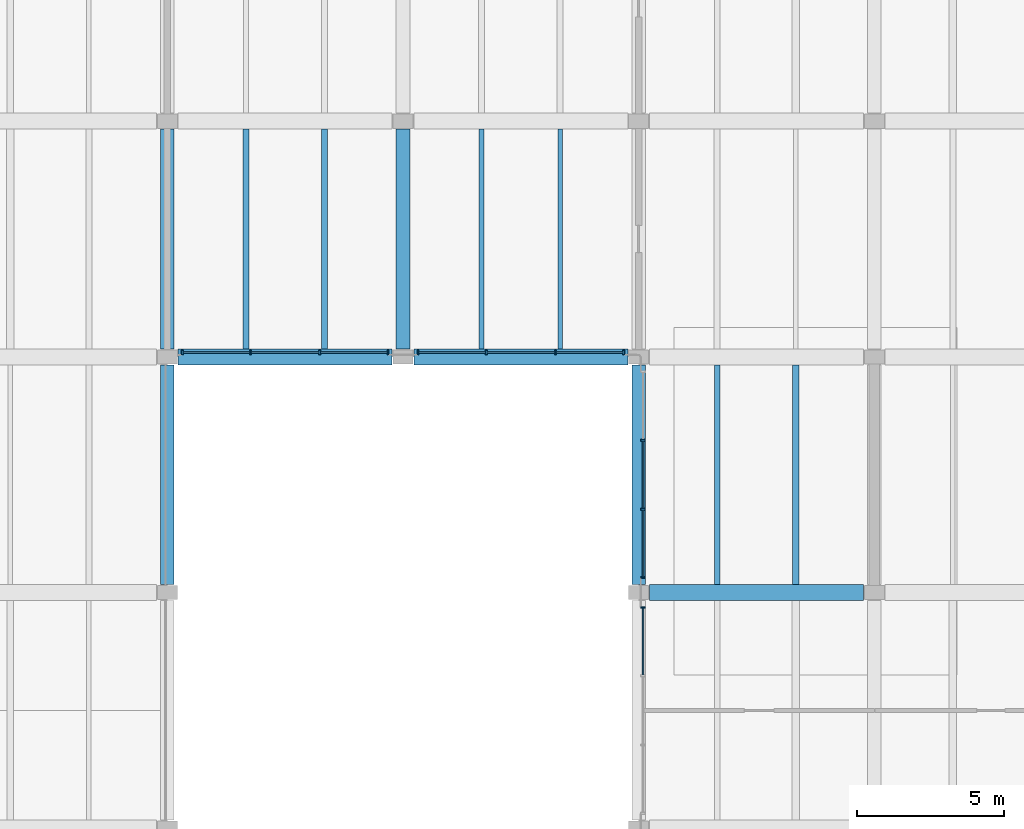
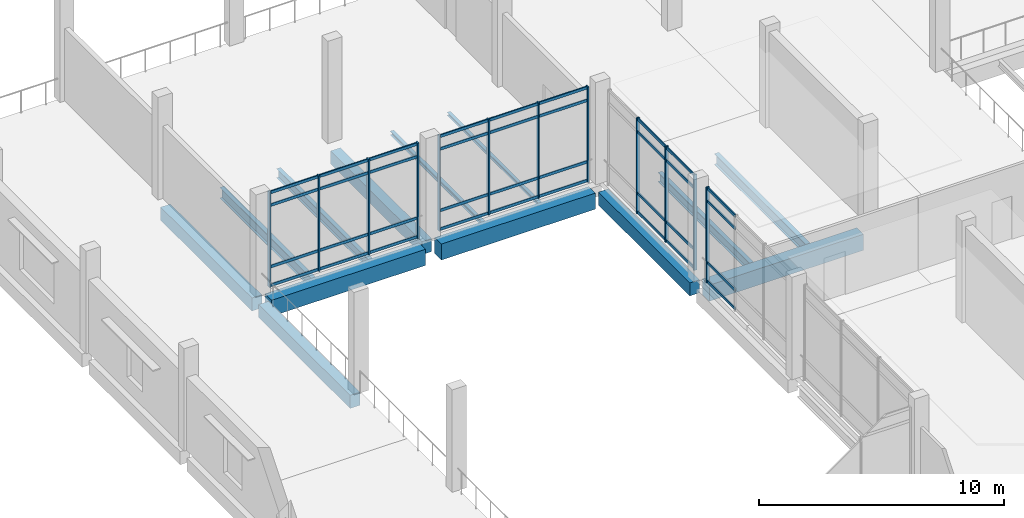
# One storey, part 10 of 61: 48 members, 13 beams, 4 elements without a shape of their own.
"""IFC4 building model written with IfcOpenShell, lengths in metres."""

from ifc_helpers import new_model, si_unit, direction, frame, origin, origin_2d, place, context, subcontext, project, spatial, rectangle, i_section, extrude, material, material_profile, profile_set, type_object, element, aggregate, save


model = new_model("IFC4")

# Units and contexts
model_context = context("Model", 3, precision=1e-05, world=origin(), true_north=direction((0.0, 1.0)))
body_context = subcontext(model_context, "Body", "Model", "MODEL_VIEW")
ifc_project = project(units=[si_unit("LENGTHUNIT", "METRE"), si_unit("AREAUNIT", "SQUARE_METRE"), si_unit("VOLUMEUNIT", "CUBIC_METRE"), si_unit("PLANEANGLEUNIT", "RADIAN"), si_unit("MASSUNIT", "GRAM", prefix="KILO")], contexts=[model_context])

# Site, building, storey
site_placement = place(None, origin())
site = spatial("IfcSite", under=ifc_project, at=site_placement, CompositionType="ELEMENT")
building_placement = place(site_placement, origin())
building = spatial("IfcBuilding", under=site, at=building_placement, Name="Pecanmere Concourse Central Library", CompositionType="ELEMENT")
storey_placement = place(building_placement, frame((0.0, 0.0, 5.39990234375)))
storey = spatial("IfcBuildingStorey", under=building, at=storey_placement, Name="L02", CompositionType="ELEMENT", Elevation=5.39990234375)

# Curtain wall, member
ifc_material_1 = material(Name="Clear anodized aluminium alloy 6063-T6", Category="aluminium")
curtain_wall_type = type_object("IfcCurtainWallType", Name="CW_CLOISTER_GLAZ", PredefinedType="USERDEFINED", material=ifc_material_1)
curtain_wall_1_placement = place(storey_placement, origin())
curtain_wall_1 = element("IfcCurtainWall", 1, at=curtain_wall_1_placement, inside=storey, type_object=curtain_wall_type, Name="Unitised Curtain Wall CW-04 L02-118", ObjectType="UNITISED CURTAIN WALL", PredefinedType="USERDEFINED")
ifc_material_2 = material(Name="Clear anodized aluminium alloy 6063-T6", Category="aluminium")
ifc_material_profile_1 = material_profile(ifc_material_2, rectangle(XDim=0.06005859375, YDim=0.14990234375, at=origin_2d()), Name="AL 60x150")
ifc_profile_set_1 = profile_set([ifc_material_profile_1], Name="Clear anodized aluminium alloy 6063-T6")
member_type_1 = type_object("IfcMemberType", Name="CWM_150x60", PredefinedType="MULLION", material=ifc_profile_set_1)
member_1_placement = place(storey_placement, frame((48.14990234375, 81.489990234375, 0.0), z_axis=(0.0, 0.0, 1.0), x_axis=(0.0, -1.0, 0.0)))
member_1 = element("IfcMember", 2, at=member_1_placement, type_object=member_type_1, Name="CW-04 Mullion 1", PredefinedType="MULLION", context=body_context, shape_type="SweptSolid", body=[
    extrude(rectangle(XDim=0.06005859375, YDim=0.14990234375, at=origin_2d()), origin(), (0.0, 0.0, 1.0), 4.760009765625),
])

# Curtain wall, members
curtain_wall_2_placement = place(storey_placement, origin())
curtain_wall_2 = element("IfcCurtainWall", 3, at=curtain_wall_2_placement, inside=storey, type_object=curtain_wall_type, Name="Unitised Curtain Wall CW-04 L02-120", ObjectType="UNITISED CURTAIN WALL", PredefinedType="USERDEFINED")
member_2_placement = place(storey_placement, frame((48.14990234375, 87.17333984375, 0.0), z_axis=(0.0, 0.0, 1.0), x_axis=(0.0, -1.0, 0.0)))
member_2 = element("IfcMember", 4, at=member_2_placement, type_object=member_type_1, Name="CW-04 Mullion 2", PredefinedType="MULLION", context=body_context, shape_type="SweptSolid", body=[
    extrude(rectangle(XDim=0.06005859375, YDim=0.14990234375, at=origin_2d()), origin(), (0.0, 0.0, 1.0), 4.760009765625),
])
member_3_placement = place(storey_placement, frame((48.14990234375, 84.82666015625, 0.0), z_axis=(0.0, 0.0, 1.0), x_axis=(0.0, -1.0, 0.0)))
member_3 = element("IfcMember", 5, at=member_3_placement, type_object=member_type_1, Name="CW-04 Mullion 3", PredefinedType="MULLION", context=body_context, shape_type="SweptSolid", body=[
    extrude(rectangle(XDim=0.06005859375, YDim=0.14990234375, at=origin_2d()), origin(), (0.0, 0.0, 1.0), 4.760009765625),
])
member_4_placement = place(storey_placement, frame((48.14990234375, 82.510009765625, 0.0), z_axis=(0.0, 0.0, 1.0), x_axis=(0.0, -1.0, 0.0)))
member_4 = element("IfcMember", 6, at=member_4_placement, type_object=member_type_1, Name="CW-04 Mullion 4", PredefinedType="MULLION", context=body_context, shape_type="SweptSolid", body=[
    extrude(rectangle(XDim=0.06005859375, YDim=0.14990234375, at=origin_2d()), origin(), (0.0, 0.0, 1.0), 4.760009765625),
])

curtain_wall_3_placement = place(storey_placement, origin())
curtain_wall_3 = element("IfcCurtainWall", 7, at=curtain_wall_3_placement, inside=storey, type_object=curtain_wall_type, Name="Unitised Curtain Wall CW-04 L02-126", ObjectType="UNITISED CURTAIN WALL", PredefinedType="USERDEFINED")
member_5_placement = place(storey_placement, frame((39.489990234375, 90.14990234375, 0.0), z_axis=(0.0, 0.0, 1.0), x_axis=(-1.0, 0.0, 0.0)))
member_5 = element("IfcMember", 8, at=member_5_placement, type_object=member_type_1, Name="CW-04 Mullion 1", PredefinedType="MULLION", context=body_context, shape_type="SweptSolid", body=[
    extrude(rectangle(XDim=0.06005859375, YDim=0.14990234375, at=origin_2d()), origin(), (0.0, 0.0, 1.0), 4.760009765625),
])
member_6_placement = place(storey_placement, frame((37.17333984375, 90.14990234375, 0.0), z_axis=(0.0, 0.0, 1.0), x_axis=(-1.0, 0.0, 0.0)))
member_6 = element("IfcMember", 9, at=member_6_placement, type_object=member_type_1, Name="CW-04 Mullion 2", PredefinedType="MULLION", context=body_context, shape_type="SweptSolid", body=[
    extrude(rectangle(XDim=0.06005859375, YDim=0.14990234375, at=origin_2d()), origin(), (0.0, 0.0, 1.0), 4.760009765625),
])
member_7_placement = place(storey_placement, frame((34.82666015625, 90.14990234375, 0.0), z_axis=(0.0, 0.0, 1.0), x_axis=(-1.0, 0.0, 0.0)))
member_7 = element("IfcMember", 10, at=member_7_placement, type_object=member_type_1, Name="CW-04 Mullion 3", PredefinedType="MULLION", context=body_context, shape_type="SweptSolid", body=[
    extrude(rectangle(XDim=0.06005859375, YDim=0.14990234375, at=origin_2d()), origin(), (0.0, 0.0, 1.0), 4.760009765625),
])
member_8_placement = place(storey_placement, frame((32.510009765625, 90.14990234375, 0.0), z_axis=(0.0, 0.0, 1.0), x_axis=(-1.0, 0.0, 0.0)))
member_8 = element("IfcMember", 11, at=member_8_placement, type_object=member_type_1, Name="CW-04 Mullion 4", PredefinedType="MULLION", context=body_context, shape_type="SweptSolid", body=[
    extrude(rectangle(XDim=0.06005859375, YDim=0.14990234375, at=origin_2d()), origin(), (0.0, 0.0, 1.0), 4.760009765625),
])

curtain_wall_4_placement = place(storey_placement, origin())
curtain_wall_4 = element("IfcCurtainWall", 12, at=curtain_wall_4_placement, inside=storey, type_object=curtain_wall_type, Name="Unitised Curtain Wall CW-04 L02-128", ObjectType="UNITISED CURTAIN WALL", PredefinedType="USERDEFINED")
member_9_placement = place(storey_placement, frame((47.489990234375, 90.14990234375, 0.0), z_axis=(0.0, 0.0, 1.0), x_axis=(-1.0, 0.0, 0.0)))
member_9 = element("IfcMember", 13, at=member_9_placement, type_object=member_type_1, Name="CW-04 Mullion 1", PredefinedType="MULLION", context=body_context, shape_type="SweptSolid", body=[
    extrude(rectangle(XDim=0.06005859375, YDim=0.14990234375, at=origin_2d()), origin(), (0.0, 0.0, 1.0), 4.760009765625),
])
member_10_placement = place(storey_placement, frame((45.17333984375, 90.14990234375, 0.0), z_axis=(0.0, 0.0, 1.0), x_axis=(-1.0, 0.0, 0.0)))
member_10 = element("IfcMember", 14, at=member_10_placement, type_object=member_type_1, Name="CW-04 Mullion 2", PredefinedType="MULLION", context=body_context, shape_type="SweptSolid", body=[
    extrude(rectangle(XDim=0.06005859375, YDim=0.14990234375, at=origin_2d()), origin(), (0.0, 0.0, 1.0), 4.760009765625),
])
member_11_placement = place(storey_placement, frame((42.82666015625, 90.14990234375, 0.0), z_axis=(0.0, 0.0, 1.0), x_axis=(-1.0, 0.0, 0.0)))
member_11 = element("IfcMember", 15, at=member_11_placement, type_object=member_type_1, Name="CW-04 Mullion 3", PredefinedType="MULLION", context=body_context, shape_type="SweptSolid", body=[
    extrude(rectangle(XDim=0.06005859375, YDim=0.14990234375, at=origin_2d()), origin(), (0.0, 0.0, 1.0), 4.760009765625),
])
member_12_placement = place(storey_placement, frame((40.510009765625, 90.14990234375, 0.0), z_axis=(0.0, 0.0, 1.0), x_axis=(-1.0, 0.0, 0.0)))
member_12 = element("IfcMember", 16, at=member_12_placement, type_object=member_type_1, Name="CW-04 Mullion 4", PredefinedType="MULLION", context=body_context, shape_type="SweptSolid", body=[
    extrude(rectangle(XDim=0.06005859375, YDim=0.14990234375, at=origin_2d()), origin(), (0.0, 0.0, 1.0), 4.760009765625),
])

# Member
ifc_material_3 = material(Name="Clear anodized aluminium alloy 6063-T6", Category="aluminium")
ifc_material_profile_2 = material_profile(ifc_material_3, rectangle(XDim=0.054931640625, YDim=0.139892578125, at=origin_2d()), Name="AL 55x140")
ifc_profile_set_2 = profile_set([ifc_material_profile_2], Name="Clear anodized aluminium alloy 6063-T6")
member_type_2 = type_object("IfcMemberType", Name="CWT_140x55", PredefinedType="USERDEFINED", material=ifc_profile_set_2)
member_13_placement = place(storey_placement, frame((48.14990234375, 81.4599609375, 0.070068359375), z_axis=(0.0, -1.0, 0.0), x_axis=(1.0, 0.0, 0.0)))
member_13 = element("IfcMember", 17, at=member_13_placement, type_object=member_type_2, Name="CW-04 Transom 1.1", ObjectType="TRANSOM", PredefinedType="USERDEFINED", context=body_context, shape_type="SweptSolid", body=[
    extrude(rectangle(XDim=0.054931640625, YDim=0.139892578125, at=origin_2d()), origin(), (0.0, 0.0, 1.0), 2.256591796875),
])

member_14_placement = place(storey_placement, frame((48.14990234375, 81.4599609375, 1.0), z_axis=(0.0, -1.0, 0.0), x_axis=(1.0, 0.0, 0.0)))
member_14 = element("IfcMember", 18, at=member_14_placement, type_object=member_type_2, Name="CW-04 Transom 1.2", ObjectType="TRANSOM", PredefinedType="USERDEFINED", context=body_context, shape_type="SweptSolid", body=[
    extrude(rectangle(XDim=0.054931640625, YDim=0.139892578125, at=origin_2d()), origin(), (0.0, 0.0, 1.0), 2.256591796875),
])

member_15_placement = place(storey_placement, frame((48.14990234375, 81.4599609375, 4.06005859375), z_axis=(0.0, -1.0, 0.0), x_axis=(1.0, 0.0, 0.0)))
member_15 = element("IfcMember", 19, at=member_15_placement, type_object=member_type_2, Name="CW-04 Transom 1.3", ObjectType="TRANSOM", PredefinedType="USERDEFINED", context=body_context, shape_type="SweptSolid", body=[
    extrude(rectangle(XDim=0.054931640625, YDim=0.139892578125, at=origin_2d()), origin(), (0.0, 0.0, 1.0), 2.256591796875),
])

member_16_placement = place(storey_placement, frame((48.14990234375, 81.4599609375, 4.690185546875), z_axis=(0.0, -1.0, 0.0), x_axis=(1.0, 0.0, 0.0)))
member_16 = element("IfcMember", 20, at=member_16_placement, type_object=member_type_2, Name="CW-04 Transom 1.4", ObjectType="TRANSOM", PredefinedType="USERDEFINED", context=body_context, shape_type="SweptSolid", body=[
    extrude(rectangle(XDim=0.054931640625, YDim=0.139892578125, at=origin_2d()), origin(), (0.0, 0.0, 1.0), 2.256591796875),
])

aggregate(curtain_wall_1, [member_1, member_13, member_14, member_15, member_16])

member_17_placement = place(storey_placement, frame((48.14990234375, 87.143310546875, 0.070068359375), z_axis=(0.0, -1.0, 0.0), x_axis=(1.0, 0.0, 0.0)))
member_17 = element("IfcMember", 21, at=member_17_placement, type_object=member_type_2, Name="CW-04 Transom 2.1", ObjectType="TRANSOM", PredefinedType="USERDEFINED", context=body_context, shape_type="SweptSolid", body=[
    extrude(rectangle(XDim=0.054931640625, YDim=0.139892578125, at=origin_2d()), origin(), (0.0, 0.0, 1.0), 2.28662109375),
])

member_18_placement = place(storey_placement, frame((48.14990234375, 87.143310546875, 1.0), z_axis=(0.0, -1.0, 0.0), x_axis=(1.0, 0.0, 0.0)))
member_18 = element("IfcMember", 22, at=member_18_placement, type_object=member_type_2, Name="CW-04 Transom 2.2", ObjectType="TRANSOM", PredefinedType="USERDEFINED", context=body_context, shape_type="SweptSolid", body=[
    extrude(rectangle(XDim=0.054931640625, YDim=0.139892578125, at=origin_2d()), origin(), (0.0, 0.0, 1.0), 2.28662109375),
])

member_19_placement = place(storey_placement, frame((48.14990234375, 87.143310546875, 4.06005859375), z_axis=(0.0, -1.0, 0.0), x_axis=(1.0, 0.0, 0.0)))
member_19 = element("IfcMember", 23, at=member_19_placement, type_object=member_type_2, Name="CW-04 Transom 2.3", ObjectType="TRANSOM", PredefinedType="USERDEFINED", context=body_context, shape_type="SweptSolid", body=[
    extrude(rectangle(XDim=0.054931640625, YDim=0.139892578125, at=origin_2d()), origin(), (0.0, 0.0, 1.0), 2.28662109375),
])

member_20_placement = place(storey_placement, frame((48.14990234375, 87.143310546875, 4.690185546875), z_axis=(0.0, -1.0, 0.0), x_axis=(1.0, 0.0, 0.0)))
member_20 = element("IfcMember", 24, at=member_20_placement, type_object=member_type_2, Name="CW-04 Transom 2.4", ObjectType="TRANSOM", PredefinedType="USERDEFINED", context=body_context, shape_type="SweptSolid", body=[
    extrude(rectangle(XDim=0.054931640625, YDim=0.139892578125, at=origin_2d()), origin(), (0.0, 0.0, 1.0), 2.28662109375),
])

member_21_placement = place(storey_placement, frame((48.14990234375, 84.796630859375, 0.070068359375), z_axis=(0.0, -1.0, 0.0), x_axis=(1.0, 0.0, 0.0)))
member_21 = element("IfcMember", 25, at=member_21_placement, type_object=member_type_2, Name="CW-04 Transom 3.1", ObjectType="TRANSOM", PredefinedType="USERDEFINED", context=body_context, shape_type="SweptSolid", body=[
    extrude(rectangle(XDim=0.054931640625, YDim=0.139892578125, at=origin_2d()), origin(), (0.0, 0.0, 1.0), 2.256591796875),
])

member_22_placement = place(storey_placement, frame((48.14990234375, 84.796630859375, 1.0), z_axis=(0.0, -1.0, 0.0), x_axis=(1.0, 0.0, 0.0)))
member_22 = element("IfcMember", 26, at=member_22_placement, type_object=member_type_2, Name="CW-04 Transom 3.2", ObjectType="TRANSOM", PredefinedType="USERDEFINED", context=body_context, shape_type="SweptSolid", body=[
    extrude(rectangle(XDim=0.054931640625, YDim=0.139892578125, at=origin_2d()), origin(), (0.0, 0.0, 1.0), 2.256591796875),
])

member_23_placement = place(storey_placement, frame((48.14990234375, 84.796630859375, 4.06005859375), z_axis=(0.0, -1.0, 0.0), x_axis=(1.0, 0.0, 0.0)))
member_23 = element("IfcMember", 27, at=member_23_placement, type_object=member_type_2, Name="CW-04 Transom 3.3", ObjectType="TRANSOM", PredefinedType="USERDEFINED", context=body_context, shape_type="SweptSolid", body=[
    extrude(rectangle(XDim=0.054931640625, YDim=0.139892578125, at=origin_2d()), origin(), (0.0, 0.0, 1.0), 2.256591796875),
])

member_24_placement = place(storey_placement, frame((48.14990234375, 84.796630859375, 4.690185546875), z_axis=(0.0, -1.0, 0.0), x_axis=(1.0, 0.0, 0.0)))
member_24 = element("IfcMember", 28, at=member_24_placement, type_object=member_type_2, Name="CW-04 Transom 3.4", ObjectType="TRANSOM", PredefinedType="USERDEFINED", context=body_context, shape_type="SweptSolid", body=[
    extrude(rectangle(XDim=0.054931640625, YDim=0.139892578125, at=origin_2d()), origin(), (0.0, 0.0, 1.0), 2.256591796875),
])

aggregate(curtain_wall_2, [member_2, member_3, member_4, member_17, member_18, member_19, member_20, member_21, member_22, member_23, member_24])

member_25_placement = place(storey_placement, frame((39.4599609375, 90.14990234375, 0.070068359375), z_axis=(-1.0, 0.0, 0.0), x_axis=(0.0, -1.0, 0.0)))
member_25 = element("IfcMember", 29, at=member_25_placement, type_object=member_type_2, Name="CW-04 Transom 1.1", ObjectType="TRANSOM", PredefinedType="USERDEFINED", context=body_context, shape_type="SweptSolid", body=[
    extrude(rectangle(XDim=0.054931640625, YDim=0.139892578125, at=origin_2d()), origin(), (0.0, 0.0, 1.0), 2.256591796875),
])

member_26_placement = place(storey_placement, frame((39.4599609375, 90.14990234375, 1.0), z_axis=(-1.0, 0.0, 0.0), x_axis=(0.0, -1.0, 0.0)))
member_26 = element("IfcMember", 30, at=member_26_placement, type_object=member_type_2, Name="CW-04 Transom 1.2", ObjectType="TRANSOM", PredefinedType="USERDEFINED", context=body_context, shape_type="SweptSolid", body=[
    extrude(rectangle(XDim=0.054931640625, YDim=0.139892578125, at=origin_2d()), origin(), (0.0, 0.0, 1.0), 2.256591796875),
])

member_27_placement = place(storey_placement, frame((39.4599609375, 90.14990234375, 4.06005859375), z_axis=(-1.0, 0.0, 0.0), x_axis=(0.0, -1.0, 0.0)))
member_27 = element("IfcMember", 31, at=member_27_placement, type_object=member_type_2, Name="CW-04 Transom 1.3", ObjectType="TRANSOM", PredefinedType="USERDEFINED", context=body_context, shape_type="SweptSolid", body=[
    extrude(rectangle(XDim=0.054931640625, YDim=0.139892578125, at=origin_2d()), origin(), (0.0, 0.0, 1.0), 2.256591796875),
])

member_28_placement = place(storey_placement, frame((39.4599609375, 90.14990234375, 4.690185546875), z_axis=(-1.0, 0.0, 0.0), x_axis=(0.0, -1.0, 0.0)))
member_28 = element("IfcMember", 32, at=member_28_placement, type_object=member_type_2, Name="CW-04 Transom 1.4", ObjectType="TRANSOM", PredefinedType="USERDEFINED", context=body_context, shape_type="SweptSolid", body=[
    extrude(rectangle(XDim=0.054931640625, YDim=0.139892578125, at=origin_2d()), origin(), (0.0, 0.0, 1.0), 2.256591796875),
])

member_29_placement = place(storey_placement, frame((37.143310546875, 90.14990234375, 0.070068359375), z_axis=(-1.0, 0.0, 0.0), x_axis=(0.0, -1.0, 0.0)))
member_29 = element("IfcMember", 33, at=member_29_placement, type_object=member_type_2, Name="CW-04 Transom 2.1", ObjectType="TRANSOM", PredefinedType="USERDEFINED", context=body_context, shape_type="SweptSolid", body=[
    extrude(rectangle(XDim=0.054931640625, YDim=0.139892578125, at=origin_2d()), origin(), (0.0, 0.0, 1.0), 2.28662109375),
])

member_30_placement = place(storey_placement, frame((37.143310546875, 90.14990234375, 1.0), z_axis=(-1.0, 0.0, 0.0), x_axis=(0.0, -1.0, 0.0)))
member_30 = element("IfcMember", 34, at=member_30_placement, type_object=member_type_2, Name="CW-04 Transom 2.2", ObjectType="TRANSOM", PredefinedType="USERDEFINED", context=body_context, shape_type="SweptSolid", body=[
    extrude(rectangle(XDim=0.054931640625, YDim=0.139892578125, at=origin_2d()), origin(), (0.0, 0.0, 1.0), 2.28662109375),
])

member_31_placement = place(storey_placement, frame((37.143310546875, 90.14990234375, 4.06005859375), z_axis=(-1.0, 0.0, 0.0), x_axis=(0.0, -1.0, 0.0)))
member_31 = element("IfcMember", 35, at=member_31_placement, type_object=member_type_2, Name="CW-04 Transom 2.3", ObjectType="TRANSOM", PredefinedType="USERDEFINED", context=body_context, shape_type="SweptSolid", body=[
    extrude(rectangle(XDim=0.054931640625, YDim=0.139892578125, at=origin_2d()), origin(), (0.0, 0.0, 1.0), 2.28662109375),
])

member_32_placement = place(storey_placement, frame((37.143310546875, 90.14990234375, 4.690185546875), z_axis=(-1.0, 0.0, 0.0), x_axis=(0.0, -1.0, 0.0)))
member_32 = element("IfcMember", 36, at=member_32_placement, type_object=member_type_2, Name="CW-04 Transom 2.4", ObjectType="TRANSOM", PredefinedType="USERDEFINED", context=body_context, shape_type="SweptSolid", body=[
    extrude(rectangle(XDim=0.054931640625, YDim=0.139892578125, at=origin_2d()), origin(), (0.0, 0.0, 1.0), 2.28662109375),
])

member_33_placement = place(storey_placement, frame((34.796630859375, 90.14990234375, 0.070068359375), z_axis=(-1.0, 0.0, 0.0), x_axis=(0.0, -1.0, 0.0)))
member_33 = element("IfcMember", 37, at=member_33_placement, type_object=member_type_2, Name="CW-04 Transom 3.1", ObjectType="TRANSOM", PredefinedType="USERDEFINED", context=body_context, shape_type="SweptSolid", body=[
    extrude(rectangle(XDim=0.054931640625, YDim=0.139892578125, at=origin_2d()), origin(), (0.0, 0.0, 1.0), 2.256591796875),
])

member_34_placement = place(storey_placement, frame((34.796630859375, 90.14990234375, 1.0), z_axis=(-1.0, 0.0, 0.0), x_axis=(0.0, -1.0, 0.0)))
member_34 = element("IfcMember", 38, at=member_34_placement, type_object=member_type_2, Name="CW-04 Transom 3.2", ObjectType="TRANSOM", PredefinedType="USERDEFINED", context=body_context, shape_type="SweptSolid", body=[
    extrude(rectangle(XDim=0.054931640625, YDim=0.139892578125, at=origin_2d()), origin(), (0.0, 0.0, 1.0), 2.256591796875),
])

member_35_placement = place(storey_placement, frame((34.796630859375, 90.14990234375, 4.06005859375), z_axis=(-1.0, 0.0, 0.0), x_axis=(0.0, -1.0, 0.0)))
member_35 = element("IfcMember", 39, at=member_35_placement, type_object=member_type_2, Name="CW-04 Transom 3.3", ObjectType="TRANSOM", PredefinedType="USERDEFINED", context=body_context, shape_type="SweptSolid", body=[
    extrude(rectangle(XDim=0.054931640625, YDim=0.139892578125, at=origin_2d()), origin(), (0.0, 0.0, 1.0), 2.256591796875),
])

member_36_placement = place(storey_placement, frame((34.796630859375, 90.14990234375, 4.690185546875), z_axis=(-1.0, 0.0, 0.0), x_axis=(0.0, -1.0, 0.0)))
member_36 = element("IfcMember", 40, at=member_36_placement, type_object=member_type_2, Name="CW-04 Transom 3.4", ObjectType="TRANSOM", PredefinedType="USERDEFINED", context=body_context, shape_type="SweptSolid", body=[
    extrude(rectangle(XDim=0.054931640625, YDim=0.139892578125, at=origin_2d()), origin(), (0.0, 0.0, 1.0), 2.256591796875),
])

aggregate(curtain_wall_3, [member_5, member_6, member_7, member_8, member_25, member_26, member_27, member_28, member_29, member_30, member_31, member_32, member_33, member_34, member_35, member_36])

member_37_placement = place(storey_placement, frame((47.4599609375, 90.14990234375, 0.070068359375), z_axis=(-1.0, 0.0, 0.0), x_axis=(0.0, -1.0, 0.0)))
member_37 = element("IfcMember", 41, at=member_37_placement, type_object=member_type_2, Name="CW-04 Transom 1.1", ObjectType="TRANSOM", PredefinedType="USERDEFINED", context=body_context, shape_type="SweptSolid", body=[
    extrude(rectangle(XDim=0.054931640625, YDim=0.139892578125, at=origin_2d()), origin(), (0.0, 0.0, 1.0), 2.256591796875),
])

member_38_placement = place(storey_placement, frame((47.4599609375, 90.14990234375, 1.0), z_axis=(-1.0, 0.0, 0.0), x_axis=(0.0, -1.0, 0.0)))
member_38 = element("IfcMember", 42, at=member_38_placement, type_object=member_type_2, Name="CW-04 Transom 1.2", ObjectType="TRANSOM", PredefinedType="USERDEFINED", context=body_context, shape_type="SweptSolid", body=[
    extrude(rectangle(XDim=0.054931640625, YDim=0.139892578125, at=origin_2d()), origin(), (0.0, 0.0, 1.0), 2.256591796875),
])

member_39_placement = place(storey_placement, frame((47.4599609375, 90.14990234375, 4.06005859375), z_axis=(-1.0, 0.0, 0.0), x_axis=(0.0, -1.0, 0.0)))
member_39 = element("IfcMember", 43, at=member_39_placement, type_object=member_type_2, Name="CW-04 Transom 1.3", ObjectType="TRANSOM", PredefinedType="USERDEFINED", context=body_context, shape_type="SweptSolid", body=[
    extrude(rectangle(XDim=0.054931640625, YDim=0.139892578125, at=origin_2d()), origin(), (0.0, 0.0, 1.0), 2.256591796875),
])

member_40_placement = place(storey_placement, frame((47.4599609375, 90.14990234375, 4.690185546875), z_axis=(-1.0, 0.0, 0.0), x_axis=(0.0, -1.0, 0.0)))
member_40 = element("IfcMember", 44, at=member_40_placement, type_object=member_type_2, Name="CW-04 Transom 1.4", ObjectType="TRANSOM", PredefinedType="USERDEFINED", context=body_context, shape_type="SweptSolid", body=[
    extrude(rectangle(XDim=0.054931640625, YDim=0.139892578125, at=origin_2d()), origin(), (0.0, 0.0, 1.0), 2.256591796875),
])

member_41_placement = place(storey_placement, frame((45.143310546875, 90.14990234375, 0.070068359375), z_axis=(-1.0, 0.0, 0.0), x_axis=(0.0, -1.0, 0.0)))
member_41 = element("IfcMember", 45, at=member_41_placement, type_object=member_type_2, Name="CW-04 Transom 2.1", ObjectType="TRANSOM", PredefinedType="USERDEFINED", context=body_context, shape_type="SweptSolid", body=[
    extrude(rectangle(XDim=0.054931640625, YDim=0.139892578125, at=origin_2d()), origin(), (0.0, 0.0, 1.0), 2.28662109375),
])

member_42_placement = place(storey_placement, frame((45.143310546875, 90.14990234375, 1.0), z_axis=(-1.0, 0.0, 0.0), x_axis=(0.0, -1.0, 0.0)))
member_42 = element("IfcMember", 46, at=member_42_placement, type_object=member_type_2, Name="CW-04 Transom 2.2", ObjectType="TRANSOM", PredefinedType="USERDEFINED", context=body_context, shape_type="SweptSolid", body=[
    extrude(rectangle(XDim=0.054931640625, YDim=0.139892578125, at=origin_2d()), origin(), (0.0, 0.0, 1.0), 2.28662109375),
])

member_43_placement = place(storey_placement, frame((45.143310546875, 90.14990234375, 4.06005859375), z_axis=(-1.0, 0.0, 0.0), x_axis=(0.0, -1.0, 0.0)))
member_43 = element("IfcMember", 47, at=member_43_placement, type_object=member_type_2, Name="CW-04 Transom 2.3", ObjectType="TRANSOM", PredefinedType="USERDEFINED", context=body_context, shape_type="SweptSolid", body=[
    extrude(rectangle(XDim=0.054931640625, YDim=0.139892578125, at=origin_2d()), origin(), (0.0, 0.0, 1.0), 2.28662109375),
])

member_44_placement = place(storey_placement, frame((45.143310546875, 90.14990234375, 4.690185546875), z_axis=(-1.0, 0.0, 0.0), x_axis=(0.0, -1.0, 0.0)))
member_44 = element("IfcMember", 48, at=member_44_placement, type_object=member_type_2, Name="CW-04 Transom 2.4", ObjectType="TRANSOM", PredefinedType="USERDEFINED", context=body_context, shape_type="SweptSolid", body=[
    extrude(rectangle(XDim=0.054931640625, YDim=0.139892578125, at=origin_2d()), origin(), (0.0, 0.0, 1.0), 2.28662109375),
])

member_45_placement = place(storey_placement, frame((42.796630859375, 90.14990234375, 0.070068359375), z_axis=(-1.0, 0.0, 0.0), x_axis=(0.0, -1.0, 0.0)))
member_45 = element("IfcMember", 49, at=member_45_placement, type_object=member_type_2, Name="CW-04 Transom 3.1", ObjectType="TRANSOM", PredefinedType="USERDEFINED", context=body_context, shape_type="SweptSolid", body=[
    extrude(rectangle(XDim=0.054931640625, YDim=0.139892578125, at=origin_2d()), origin(), (0.0, 0.0, 1.0), 2.256591796875),
])

member_46_placement = place(storey_placement, frame((42.796630859375, 90.14990234375, 1.0), z_axis=(-1.0, 0.0, 0.0), x_axis=(0.0, -1.0, 0.0)))
member_46 = element("IfcMember", 50, at=member_46_placement, type_object=member_type_2, Name="CW-04 Transom 3.2", ObjectType="TRANSOM", PredefinedType="USERDEFINED", context=body_context, shape_type="SweptSolid", body=[
    extrude(rectangle(XDim=0.054931640625, YDim=0.139892578125, at=origin_2d()), origin(), (0.0, 0.0, 1.0), 2.256591796875),
])

member_47_placement = place(storey_placement, frame((42.796630859375, 90.14990234375, 4.06005859375), z_axis=(-1.0, 0.0, 0.0), x_axis=(0.0, -1.0, 0.0)))
member_47 = element("IfcMember", 51, at=member_47_placement, type_object=member_type_2, Name="CW-04 Transom 3.3", ObjectType="TRANSOM", PredefinedType="USERDEFINED", context=body_context, shape_type="SweptSolid", body=[
    extrude(rectangle(XDim=0.054931640625, YDim=0.139892578125, at=origin_2d()), origin(), (0.0, 0.0, 1.0), 2.256591796875),
])

member_48_placement = place(storey_placement, frame((42.796630859375, 90.14990234375, 4.690185546875), z_axis=(-1.0, 0.0, 0.0), x_axis=(0.0, -1.0, 0.0)))
member_48 = element("IfcMember", 52, at=member_48_placement, type_object=member_type_2, Name="CW-04 Transom 3.4", ObjectType="TRANSOM", PredefinedType="USERDEFINED", context=body_context, shape_type="SweptSolid", body=[
    extrude(rectangle(XDim=0.054931640625, YDim=0.139892578125, at=origin_2d()), origin(), (0.0, 0.0, 1.0), 2.256591796875),
])

aggregate(curtain_wall_4, [member_9, member_10, member_11, member_12, member_37, member_38, member_39, member_40, member_41, member_42, member_43, member_44, member_45, member_46, member_47, member_48])

# Beams
ifc_material_4 = material(Name="Concrete C40/50", Category="concrete")
ifc_material_profile_3 = material_profile(ifc_material_4, rectangle(XDim=0.4599609375, YDim=0.64990234375, at=origin_2d()), Name="RC 460x650")
ifc_profile_set_3 = profile_set([ifc_material_profile_3], Name="Concrete C40/50")
beam_type_1 = type_object("IfcBeamType", Name="GRD_460x650", PredefinedType="USERDEFINED", material=ifc_profile_set_3)
for number, where, z_axis, x_axis, name in (
    (53, (32.0, 82.27001953125, -0.69482421875), (0.0, 1.0, 0.0), (-1.0, 0.0, 0.0), "Primary Girder Y L02-0989"),
    (54, (32.0, 90.27001953125, -0.69482421875), (0.0, 1.0, 0.0), (-1.0, 0.0, 0.0), "Primary Girder Y L02-0990"),
    (55, (40.0, 90.27001953125, -0.69482421875), (0.0, 1.0, 0.0), (-1.0, 0.0, 0.0), "Primary Girder Y L02-0998"),
    (56, (48.0, 82.27001953125, -0.69482421875), (0.0, 1.0, 0.0), (-1.0, 0.0, 0.0), "Primary Girder Y L02-1008"),
):
    element("IfcBeam", number, at=place(storey_placement, frame(where, z_axis=z_axis, x_axis=x_axis)), inside=storey, type_object=beam_type_1, Name=name, ObjectType="GIRDER", PredefinedType="USERDEFINED", context=body_context, shape_type="SweptSolid", body=[
        extrude(rectangle(XDim=0.4599609375, YDim=0.64990234375, at=origin_2d()), origin(), (0.0, 0.0, 1.0), 7.4599609375),
    ])
ifc_material_5 = material(Name="Concrete C40/50", Category="concrete")
ifc_material_profile_4 = material_profile(ifc_material_5, rectangle(XDim=0.5400390625, YDim=0.800048828125, at=origin_2d()), Name="RC 540x800")
ifc_profile_set_4 = profile_set([ifc_material_profile_4], Name="Concrete C40/50")
beam_type_2 = type_object("IfcBeamType", Name="GRD_540x800", PredefinedType="USERDEFINED", material=ifc_profile_set_4)
for number, where, z_axis, x_axis, name in (
    (57, (48.3701171875, 82.0, -0.77001953125), (1.0, 0.0, 0.0), (0.0, 1.0, 0.0), "Primary Girder X L02-0898"),
    (58, (32.3701171875, 90.0, -0.77001953125), (1.0, 0.0, 0.0), (0.0, 1.0, 0.0), "Primary Girder X L02-0910"),
    (59, (40.3701171875, 90.0, -0.77001953125), (1.0, 0.0, 0.0), (0.0, 1.0, 0.0), "Primary Girder X L02-0911"),
):
    element("IfcBeam", number, at=place(storey_placement, frame(where, z_axis=z_axis, x_axis=x_axis)), inside=storey, type_object=beam_type_2, Name=name, ObjectType="GIRDER", PredefinedType="USERDEFINED", context=body_context, shape_type="SweptSolid", body=[
        extrude(rectangle(XDim=0.5400390625, YDim=0.800048828125, at=origin_2d()), origin(), (0.0, 0.0, 1.0), 7.259765625),
    ])
ifc_material_6 = material(Name="Structural steel ASTM A992 Grade 50", Category="steel")
ifc_material_profile_5 = material_profile(ifc_material_6, i_section(OverallWidth=0.152099609375, OverallDepth=0.152099609375, WebThickness=0.005859375, FlangeThickness=0.006591796875, at=origin_2d()), Name="W150x22.5")
ifc_profile_set_5 = profile_set([ifc_material_profile_5], Name="Structural steel ASTM A992 Grade 50")
beam_type_3 = type_object("IfcBeamType", Name="SBM_W150x22", PredefinedType="LINTEL", material=ifc_profile_set_5)
beam_1_placement = place(storey_placement, frame((45.333251953125, 90.27001953125, -0.44580078125), z_axis=(0.0, 1.0, 0.0), x_axis=(-1.0, 0.0, 0.0)))
element("IfcBeam", 60, at=beam_1_placement, inside=storey, type_object=beam_type_3, Name="Secondary Floor Joist L02-1226", PredefinedType="LINTEL", context=body_context, shape_type="SweptSolid", body=[
    extrude(i_section(OverallWidth=0.152099609375, OverallDepth=0.152099609375, WebThickness=0.005859375, FlangeThickness=0.006591796875, at=origin_2d()), origin(), (0.0, 0.0, 1.0), 7.4599609375),
])
ifc_material_7 = material(Name="Structural steel ASTM A992 Grade 50", Category="steel")
ifc_material_profile_6 = material_profile(ifc_material_7, i_section(OverallWidth=0.1650390625, OverallDepth=0.200927734375, WebThickness=0.006103515625, FlangeThickness=0.01025390625, at=origin_2d()), Name="W200x35.9")
ifc_profile_set_6 = profile_set([ifc_material_profile_6], Name="Structural steel ASTM A992 Grade 50")
beam_type_4 = type_object("IfcBeamType", Name="SBM_W200x36", PredefinedType="LINTEL", material=ifc_profile_set_6)
beam_2_placement = place(storey_placement, frame((42.666748046875, 90.27001953125, -0.470458984375), z_axis=(0.0, 1.0, 0.0), x_axis=(-1.0, 0.0, 0.0)))
element("IfcBeam", 61, at=beam_2_placement, inside=storey, type_object=beam_type_4, Name="Secondary Floor Joist L02-1225", PredefinedType="LINTEL", context=body_context, shape_type="SweptSolid", body=[
    extrude(i_section(OverallWidth=0.1650390625, OverallDepth=0.200927734375, WebThickness=0.006103515625, FlangeThickness=0.01025390625, at=origin_2d()), origin(), (0.0, 0.0, 1.0), 7.4599609375),
])
ifc_material_8 = material(Name="Structural steel ASTM A992 Grade 50", Category="steel")
ifc_material_profile_7 = material_profile(ifc_material_8, i_section(OverallWidth=0.194091796875, OverallDepth=0.468994140625, WebThickness=0.0126953125, FlangeThickness=0.0205078125, at=origin_2d()), Name="W460x106")
ifc_profile_set_7 = profile_set([ifc_material_profile_7], Name="Structural steel ASTM A992 Grade 50")
beam_type_5 = type_object("IfcBeamType", Name="SBM_W460x106", PredefinedType="USERDEFINED", material=ifc_profile_set_7)
for number, where, z_axis, x_axis, name in (
    (62, (37.333251953125, 90.27001953125, -0.6044921875), (0.0, 1.0, 0.0), (-1.0, 0.0, 0.0), "Secondary Floor Joist L02-1211"),
    (63, (50.666748046875, 82.27001953125, -0.6044921875), (0.0, 1.0, 0.0), (-1.0, 0.0, 0.0), "Secondary Floor Joist L02-1237"),
):
    element("IfcBeam", number, at=place(storey_placement, frame(where, z_axis=z_axis, x_axis=x_axis)), inside=storey, type_object=beam_type_5, Name=name, ObjectType="GIRDER", PredefinedType="USERDEFINED", context=body_context, shape_type="SweptSolid", body=[
        extrude(i_section(OverallWidth=0.194091796875, OverallDepth=0.468994140625, WebThickness=0.0126953125, FlangeThickness=0.0205078125, at=origin_2d()), origin(), (0.0, 0.0, 1.0), 7.4599609375),
    ])
ifc_material_9 = material(Name="Structural steel ASTM A992 Grade 50", Category="steel")
ifc_material_profile_8 = material_profile(ifc_material_9, i_section(OverallWidth=0.2109375, OverallDepth=0.5390625, WebThickness=0.01171875, FlangeThickness=0.018798828125, at=origin_2d()), Name="W530x109")
ifc_profile_set_8 = profile_set([ifc_material_profile_8], Name="Structural steel ASTM A992 Grade 50")
beam_type_6 = type_object("IfcBeamType", Name="SBM_W530x109", PredefinedType="USERDEFINED", material=ifc_profile_set_8)
beam_3_placement = place(storey_placement, frame((53.333251953125, 82.27001953125, -0.639404296875), z_axis=(0.0, 1.0, 0.0), x_axis=(-1.0, 0.0, 0.0)))
element("IfcBeam", 64, at=beam_3_placement, inside=storey, type_object=beam_type_6, Name="Secondary Floor Joist L02-1238", ObjectType="GIRDER", PredefinedType="USERDEFINED", context=body_context, shape_type="SweptSolid", body=[
    extrude(i_section(OverallWidth=0.2109375, OverallDepth=0.5390625, WebThickness=0.01171875, FlangeThickness=0.018798828125, at=origin_2d()), origin(), (0.0, 0.0, 1.0), 7.4599609375),
])
ifc_material_10 = material(Name="Structural steel ASTM A992 Grade 50", Category="steel")
ifc_material_profile_9 = material_profile(ifc_material_10, i_section(OverallWidth=0.208984375, OverallDepth=0.532958984375, WebThickness=0.01025390625, FlangeThickness=0.015625, at=origin_2d()), Name="W530x92")
ifc_profile_set_9 = profile_set([ifc_material_profile_9], Name="Structural steel ASTM A992 Grade 50")
beam_type_7 = type_object("IfcBeamType", Name="SBM_W530x92", PredefinedType="BEAM", material=ifc_profile_set_9)
beam_4_placement = place(storey_placement, frame((34.666748046875, 90.27001953125, -0.636474609375), z_axis=(0.0, 1.0, 0.0), x_axis=(-1.0, 0.0, 0.0)))
element("IfcBeam", 65, at=beam_4_placement, inside=storey, type_object=beam_type_7, Name="Secondary Floor Joist L02-1210", PredefinedType="BEAM", context=body_context, shape_type="SweptSolid", body=[
    extrude(i_section(OverallWidth=0.208984375, OverallDepth=0.532958984375, WebThickness=0.01025390625, FlangeThickness=0.015625, at=origin_2d()), origin(), (0.0, 0.0, 1.0), 7.4599609375),
])

save(model, "model.ifc")
